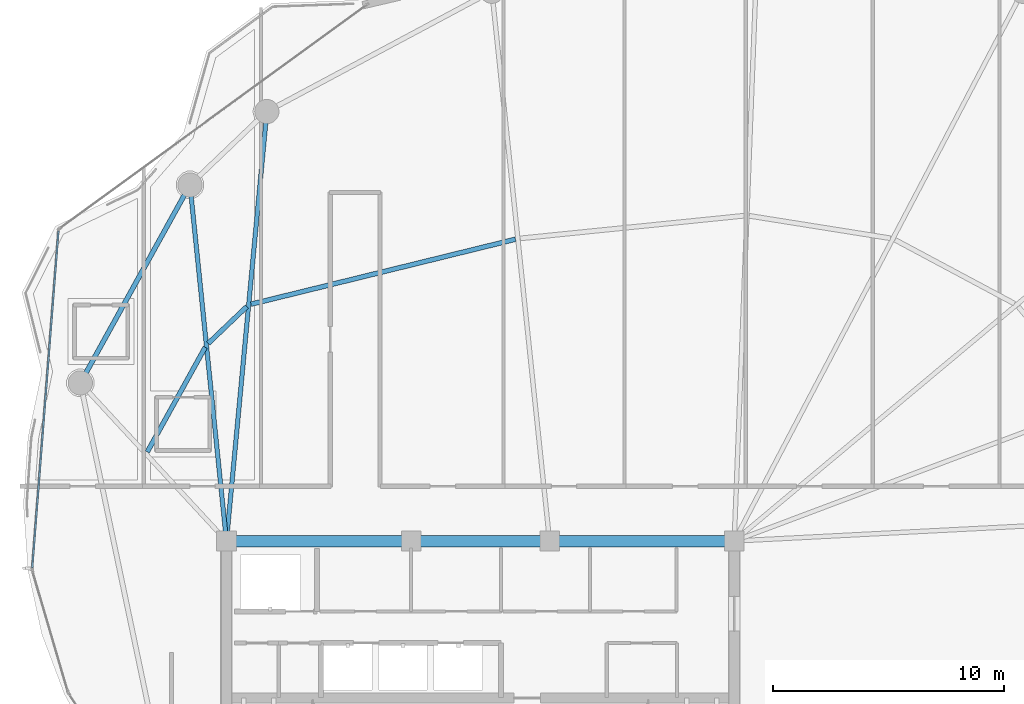
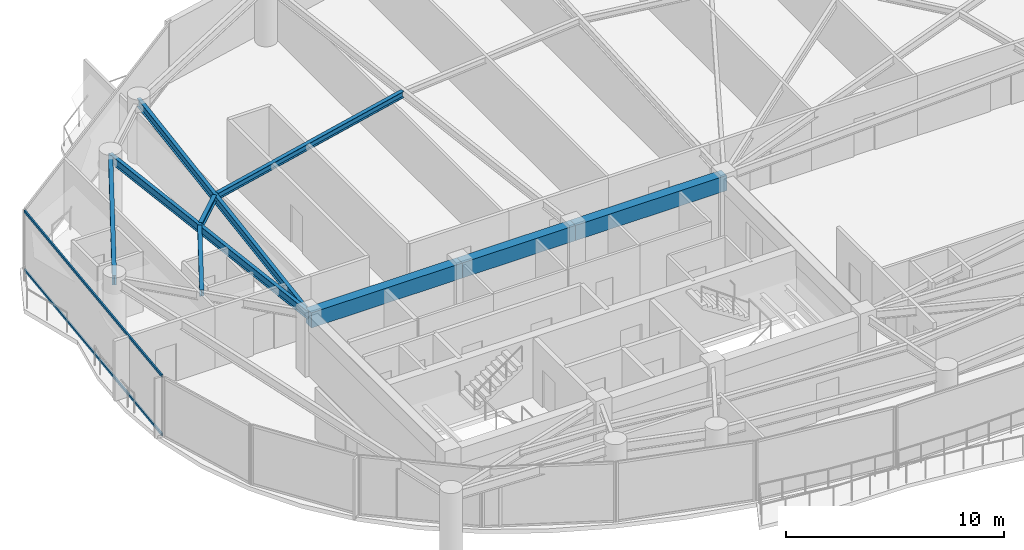
# One storey, part 9 of 31: 9 beams, 2 members, 1 element without a shape of its own.
"""IFC4 building model written with IfcOpenShell, lengths in metres."""

from ifc_helpers import new_model, si_unit, direction, frame, origin, origin_2d, place, context, subcontext, project, spatial, rectangle, hollow_rectangle, i_section, extrude, material, layer, layer_set, material_profile, profile_set, type_object, element, aggregate, save


model = new_model("IFC4")

# Units and contexts
model_context = context("Model", 3, precision=1e-05, world=origin(), true_north=direction((0.0, 1.0)))
body_context = subcontext(model_context, "Body", "Model", "MODEL_VIEW")
ifc_project = project(units=[si_unit("LENGTHUNIT", "METRE"), si_unit("AREAUNIT", "SQUARE_METRE"), si_unit("VOLUMEUNIT", "CUBIC_METRE"), si_unit("PLANEANGLEUNIT", "RADIAN"), si_unit("MASSUNIT", "GRAM", prefix="KILO")], contexts=[model_context])

# Site, building, storey
site_placement = place(None, origin())
site = spatial("IfcSite", under=ifc_project, at=site_placement, CompositionType="ELEMENT")
building_placement = place(site_placement, origin())
building = spatial("IfcBuilding", under=site, at=building_placement, Name="Kazevale Care Tower and Concert Hall", CompositionType="ELEMENT")
storey_placement = place(building_placement, frame((0.0, 0.0, 217.199951171875)))
storey = spatial("IfcBuildingStorey", under=building, at=storey_placement, Name="L57", CompositionType="ELEMENT", Elevation=217.199951171875)

# Curtain wall, members
ifc_material_1 = material(Name="Aluminium 6063-T6 and Low-E Glass", Category="aluminium")
ifc_layer = layer(ifc_material_1, 0.179931640625)
ifc_layer_set = layer_set([ifc_layer], Name="Aluminium 6063-T6 and Low-E Glass")
curtain_wall_type = type_object("IfcCurtainWallType", Name="Waist & Upper Residential Curtain Wall CW-4", PredefinedType="NOTDEFINED", material=ifc_layer_set)
curtain_wall_placement = place(storey_placement, origin())
curtain_wall = element("IfcCurtainWall", 1, at=curtain_wall_placement, inside=storey, type_object=curtain_wall_type, Name="cw:L57:f13", PredefinedType="NOTDEFINED")
ifc_material_2 = material(Name="Aluminium 6063-T6", Category="aluminium")
ifc_material_profile_1 = material_profile(ifc_material_2, hollow_rectangle(XDim=0.080078125, YDim=0.139892578125, WallThickness=0.00390625, at=origin_2d()), Name="ALU80x140x4")
ifc_profile_set_1 = profile_set([ifc_material_profile_1], Name="Aluminium 6063-T6")
member_type = type_object("IfcMemberType", Name="CW-4 Transom ALU80x140x4", PredefinedType="USERDEFINED", material=ifc_profile_set_1)
member_1_placement = place(storey_placement, frame((13.585205078125, 35.23681640625, 0.0400390625), z_axis=(0.077534740898, 0.996989650876, 0.0), x_axis=(-0.996989650876, 0.077534740898, 0.0)))
member_1 = element("IfcMember", 2, at=member_1_placement, type_object=member_type, Name="CW-4 transom 1.1", ObjectType="TRANSOM", PredefinedType="USERDEFINED", context=body_context, shape_type="SweptSolid", body=[
    extrude(hollow_rectangle(XDim=0.080078125, YDim=0.139892578125, WallThickness=0.00390625, at=origin_2d()), origin(), (0.0, 0.0, 1.0), 14.63232421875),
])
member_2_placement = place(storey_placement, frame((13.585205078125, 35.23681640625, 3.320068359375), z_axis=(0.077534740898, 0.996989650876, 0.0), x_axis=(-0.996989650876, 0.077534740898, 0.0)))
member_2 = element("IfcMember", 3, at=member_2_placement, type_object=member_type, Name="CW-4 transom 1.2", ObjectType="TRANSOM", PredefinedType="USERDEFINED", context=body_context, shape_type="SweptSolid", body=[
    extrude(hollow_rectangle(XDim=0.080078125, YDim=0.139892578125, WallThickness=0.00390625, at=origin_2d()), origin(), (0.0, 0.0, 1.0), 14.63232421875),
])
aggregate(curtain_wall, [member_1, member_2])

# Beams
ifc_material_3 = material(Name="Concrete C60", Category="concrete")
ifc_material_profile_2 = material_profile(ifc_material_3, rectangle(XDim=0.5, YDim=0.85009765625, at=origin_2d()), Name="RC-B500x850")
ifc_profile_set_2 = profile_set([ifc_material_profile_2], Name="Concrete C60")
beam_type_1 = type_object("IfcBeamType", Name="Core Coupling Beam RC500x850", PredefinedType="LINTEL", material=ifc_profile_set_2)
beam_1_placement = place(storey_placement, frame((44.0, 36.39990234375, 2.93505859375), z_axis=(-1.0, 0.0, 0.0), x_axis=(0.0, -1.0, 0.0)))
element("IfcBeam", 4, at=beam_1_placement, inside=storey, type_object=beam_type_1, Name="beam:L57:coretie:5", PredefinedType="LINTEL", context=body_context, shape_type="SweptSolid", body=[
    extrude(rectangle(XDim=0.5, YDim=0.85009765625, at=origin_2d()), origin(), (0.0, 0.0, 1.0), 8.0),
])
beam_2_placement = place(storey_placement, frame((36.0, 36.39990234375, 2.93505859375), z_axis=(-1.0, 0.0, 0.0), x_axis=(0.0, -1.0, 0.0)))
element("IfcBeam", 5, at=beam_2_placement, inside=storey, type_object=beam_type_1, Name="beam:L57:coretie:6", PredefinedType="LINTEL", context=body_context, shape_type="SweptSolid", body=[
    extrude(rectangle(XDim=0.5, YDim=0.85009765625, at=origin_2d()), origin(), (0.0, 0.0, 1.0), 6.0),
])
beam_3_placement = place(storey_placement, frame((30.0, 36.39990234375, 2.93505859375), z_axis=(-1.0, 0.0, 0.0), x_axis=(0.0, -1.0, 0.0)))
element("IfcBeam", 6, at=beam_3_placement, inside=storey, type_object=beam_type_1, Name="beam:L57:coretie:7", PredefinedType="LINTEL", context=body_context, shape_type="SweptSolid", body=[
    extrude(rectangle(XDim=0.5, YDim=0.85009765625, at=origin_2d()), origin(), (0.0, 0.0, 1.0), 8.0),
])
ifc_material_4 = material(Name="Steel ASTM A572 Gr 50", Category="steel")
ifc_material_profile_3 = material_profile(ifc_material_4, i_section(OverallWidth=0.19091796875, OverallDepth=0.4599609375, WebThickness=0.010009765625, FlangeThickness=0.01611328125, at=origin_2d()), Name="W460x82")
ifc_profile_set_3 = profile_set([ifc_material_profile_3], Name="Steel ASTM A572 Gr 50")
beam_type_2 = type_object("IfcBeamType", Name="Radial Floor Beam W460x82", PredefinedType="BEAM", material=ifc_profile_set_3)
beam_4_placement = place(storey_placement, frame((22.0, 36.39990234375, 3.130126953125), z_axis=(0.093621904075, 0.995607823933, 0.0), x_axis=(-0.995607823933, 0.093621904075, 0.0)))
element("IfcBeam", 7, at=beam_4_placement, inside=storey, type_object=beam_type_2, Name="beam:L57:rad:07", PredefinedType="BEAM", context=body_context, shape_type="SweptSolid", body=[
    extrude(i_section(OverallWidth=0.19091796875, OverallDepth=0.4599609375, WebThickness=0.010009765625, FlangeThickness=0.01611328125, at=origin_2d()), origin(), (0.0, 0.0, 1.0), 18.692138671875),
])
beam_5_placement = place(storey_placement, frame((22.0, 36.39990234375, 3.130126953125), z_axis=(-0.101869109083, 0.994797810922, 0.0), x_axis=(-0.994797810922, -0.101869109083, 0.0)))
element("IfcBeam", 8, at=beam_5_placement, inside=storey, type_object=beam_type_2, Name="beam:L57:rad:08", PredefinedType="BEAM", context=body_context, shape_type="SweptSolid", body=[
    extrude(i_section(OverallWidth=0.19091796875, OverallDepth=0.4599609375, WebThickness=0.010009765625, FlangeThickness=0.01611328125, at=origin_2d()), origin(), (0.0, 0.0, 1.0), 15.510986328125),
])
ifc_material_profile_4 = material_profile(ifc_material_4, i_section(OverallWidth=0.205078125, OverallDepth=0.35400390625, WebThickness=0.009521484375, FlangeThickness=0.016845703125, at=origin_2d()), Name="W360x79")
ifc_profile_set_4 = profile_set([ifc_material_profile_4], Name="Steel ASTM A572 Gr 50")
beam_type_3 = type_object("IfcBeamType", Name="Secondary Floor Joist W360x79", PredefinedType="JOIST", material=ifc_profile_set_4)
beam_6_placement = place(storey_placement, frame((34.52294921875, 49.47607421875, 3.18310546875), z_axis=(-0.971122715177, -0.238580535809, 0.0), x_axis=(0.238580535809, -0.971122715177, 0.0)))
element("IfcBeam", 9, at=beam_6_placement, inside=storey, type_object=beam_type_3, Name="beam:L57:joist:06", PredefinedType="JOIST", context=body_context, shape_type="SweptSolid", body=[
    extrude(i_section(OverallWidth=0.205078125, OverallDepth=0.35400390625, WebThickness=0.009521484375, FlangeThickness=0.016845703125, at=origin_2d()), origin(), (0.0, 0.0, 1.0), 11.7998046875),
])
beam_7_placement = place(storey_placement, frame((22.886962890625, 46.56298828125, 3.18310546875), z_axis=(-0.723262472539, -0.690573237114, 0.0), x_axis=(0.690573237114, -0.723262472539, 0.0)))
element("IfcBeam", 10, at=beam_7_placement, inside=storey, type_object=beam_type_3, Name="beam:L57:joist:07", PredefinedType="JOIST", context=body_context, shape_type="SweptSolid", body=[
    extrude(i_section(OverallWidth=0.205078125, OverallDepth=0.35400390625, WebThickness=0.009521484375, FlangeThickness=0.016845703125, at=origin_2d()), origin(), (0.0, 0.0, 1.0), 2.32275390625),
])
beam_8_placement = place(storey_placement, frame((21.080078125, 44.794921875, 3.18310546875), z_axis=(-0.484322963201, -0.874889288605, 0.0), x_axis=(0.874889288605, -0.484322963201, 0.0)))
element("IfcBeam", 11, at=beam_8_placement, inside=storey, type_object=beam_type_3, Name="beam:L57:joist:08", PredefinedType="JOIST", context=body_context, shape_type="SweptSolid", body=[
    extrude(i_section(OverallWidth=0.205078125, OverallDepth=0.35400390625, WebThickness=0.009521484375, FlangeThickness=0.016845703125, at=origin_2d()), origin(), (0.0, 0.0, 1.0), 5.1845703125),
])
ifc_material_profile_5 = material_profile(ifc_material_4, i_section(OverallWidth=0.208984375, OverallDepth=0.532958984375, WebThickness=0.01025390625, FlangeThickness=0.015625, at=origin_2d()), Name="W530x92")
ifc_profile_set_5 = profile_set([ifc_material_profile_5], Name="Steel ASTM A572 Gr 50")
beam_type_4 = type_object("IfcBeamType", Name="Upper Ring Beam W530x92", PredefinedType="BEAM", material=ifc_profile_set_5)
beam_9_placement = place(storey_placement, frame((20.419921875, 51.830078125, 3.093505859375), z_axis=(-0.484340382014, -0.874879645637, 0.0), x_axis=(0.874879645637, -0.484340382014, 0.0)))
element("IfcBeam", 12, at=beam_9_placement, inside=storey, type_object=beam_type_4, Name="beam:L57:ring:08", PredefinedType="BEAM", context=body_context, shape_type="SweptSolid", body=[
    extrude(i_section(OverallWidth=0.208984375, OverallDepth=0.532958984375, WebThickness=0.01025390625, FlangeThickness=0.015625, at=origin_2d()), origin(), (0.0, 0.0, 1.0), 9.80712890625),
])

save(model, "model.ifc")
